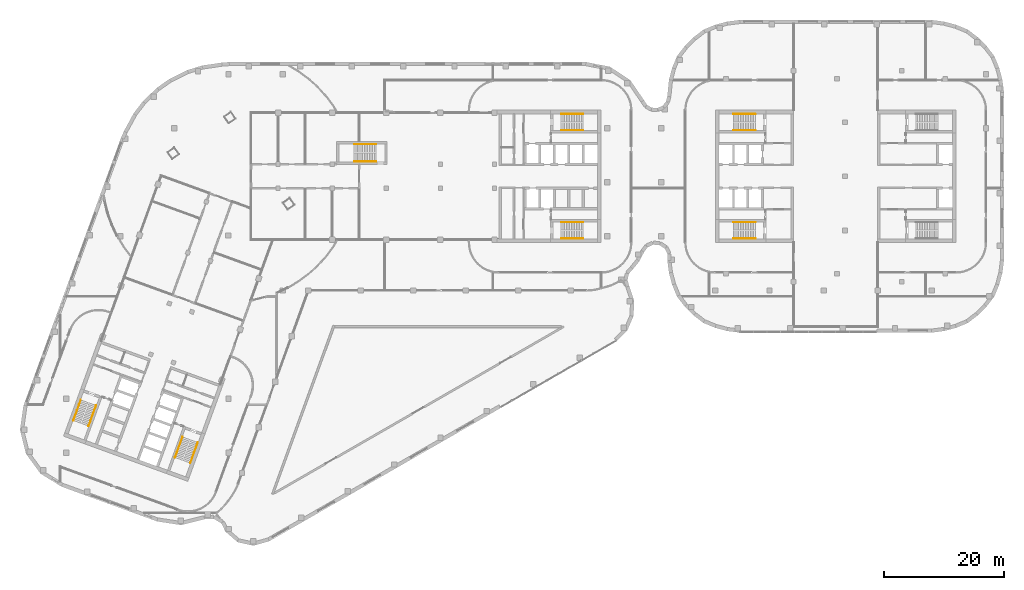
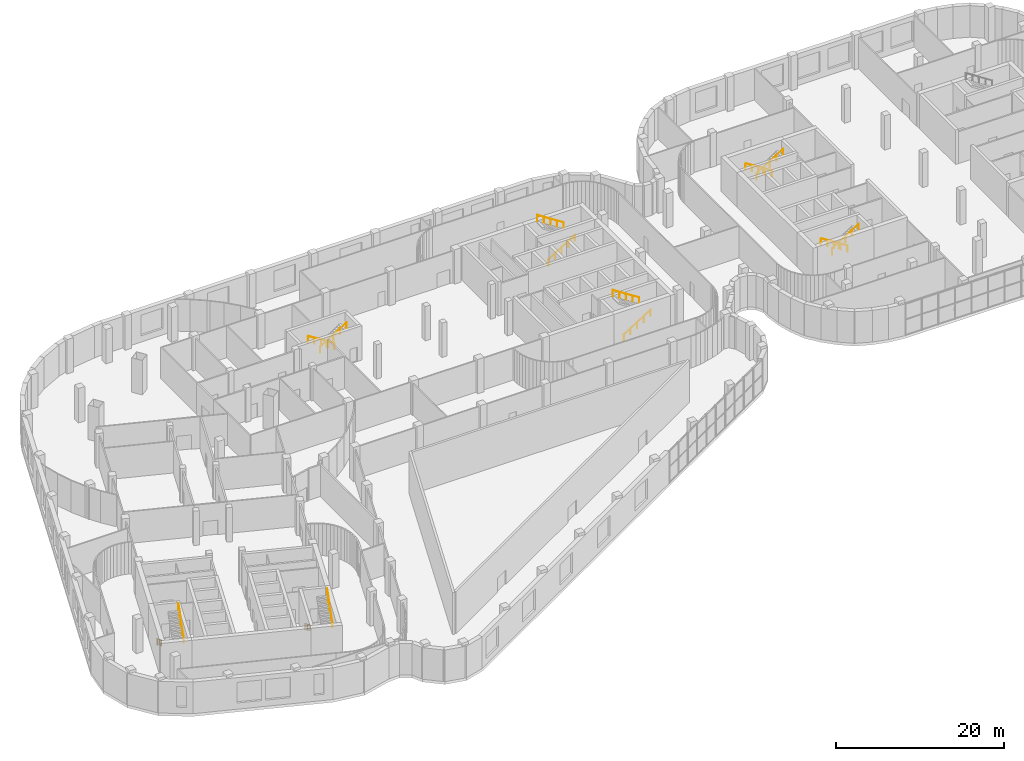
# One storey, part 23 of 24: 14 railings.
"""IFC4 building model written with IfcOpenShell, lengths in metres."""

import ifcopenshell
import ifcopenshell.guid

model = None  # the IFC model being written
_history = None  # IfcOwnerHistory: only IFC2X3 demands one
_inside = {}  # id of a spatial element -> (the spatial element, [elements in it])
_under = {}  # id of a project, library or spatial element -> (it, [spatial elements below it])
_declared = {}  # id of a project -> (the project, [libraries it declares])
_typed = {}  # id of a type object -> (the type object, [elements of that type])
_made_of = {}  # id of a material, layer set ... -> (it, [elements and type objects made of it])


def new_model(schema):
    """Start an empty IFC model of exactly this schema.

    Asked for "IFC4X3", IfcOpenShell would pick the latest addendum, in which some entities
    have other attributes; the version numbers below select the first issue.
    IFC2X3 requires an IfcOwnerHistory on every rooted entity: one is made here for all.
    """
    global model, _history
    if schema == "IFC4X3":
        model = ifcopenshell.file(schema_version=(4, 3, 0, 0))
    else:
        model = ifcopenshell.file(schema=schema)
    _inside.clear()
    _under.clear()
    _declared.clear()
    _typed.clear()
    _made_of.clear()
    _history = None
    if model.schema == "IFC2X3":
        org = make("IfcOrganization", Name="unknown")
        user = make(
            "IfcPersonAndOrganization",
            ThePerson=make("IfcPerson", FamilyName="unknown"),
            TheOrganization=org,
        )
        app = make(
            "IfcApplication",
            ApplicationDeveloper=org,
            Version="unknown",
            ApplicationFullName="unknown",
            ApplicationIdentifier="unknown",
        )
        _history = make(
            "IfcOwnerHistory",
            OwningUser=user,
            OwningApplication=app,
            ChangeAction="ADDED",
            CreationDate=0,
        )
    return model


def make(cls, **values):
    """One entity of the class cls with the attributes given. An attribute that is None is left unset."""
    return model.create_entity(
        cls, **{name: value for name, value in values.items() if value is not None}
    )


def rooted(cls, **values):
    """An entity with a GlobalId (a new one), such as an element, a storey or a relation."""
    return make(cls, GlobalId=ifcopenshell.guid.new(), OwnerHistory=_history, **values)


def si_unit(unit_type, name, prefix=None):
    """IfcSIUnit, for example si_unit("LENGTHUNIT", "METRE", prefix="MILLI")."""
    return make("IfcSIUnit", UnitType=unit_type, Prefix=prefix, Name=name)


def assignment(units):
    """IfcUnitAssignment: the units of a project."""
    return None if units is None else make("IfcUnitAssignment", Units=units)


def point(xyz):
    """IfcCartesianPoint."""
    return None if xyz is None else make("IfcCartesianPoint", Coordinates=xyz)


def direction(xyz):
    """IfcDirection."""
    return None if xyz is None else make("IfcDirection", DirectionRatios=xyz)


def frame(location, z_axis=None, x_axis=None):
    """IfcAxis2Placement3D, a coordinate frame: its origin and axes. An axis left out is left unset."""
    return make(
        "IfcAxis2Placement3D",
        Location=point(location),
        Axis=direction(z_axis),
        RefDirection=direction(x_axis),
    )


def frame_2d(location, x_axis=None):
    """IfcAxis2Placement2D, a coordinate frame in the plane: its origin and x axis."""
    return make(
        "IfcAxis2Placement2D", Location=point(location), RefDirection=direction(x_axis)
    )


def origin():
    """The frame at (0, 0, 0) with its axes left unset."""
    return frame((0.0, 0.0, 0.0))


def origin_2d():
    """The frame at (0, 0) in the plane with its x axis left unset."""
    return frame_2d((0.0, 0.0))


def place(relative_to, where):
    """IfcLocalPlacement: puts the frame where relative to a parent placement (None: the world)."""
    return make(
        "IfcLocalPlacement", PlacementRelTo=relative_to, RelativePlacement=where
    )


def context(
    kind, dimensions, precision=None, world=None, true_north=None, identifier=None
):
    """IfcGeometricRepresentationContext, for example the 3D "Model" context."""
    return make(
        "IfcGeometricRepresentationContext",
        ContextIdentifier=identifier,
        ContextType=kind,
        CoordinateSpaceDimension=dimensions,
        Precision=precision,
        WorldCoordinateSystem=world,
        TrueNorth=true_north,
    )


def subcontext(parent, identifier, kind, view, scale=None):
    """IfcGeometricRepresentationSubContext, for example "Body" below "Model"."""
    return make(
        "IfcGeometricRepresentationSubContext",
        ContextIdentifier=identifier,
        ContextType=kind,
        ParentContext=parent,
        TargetScale=scale,
        TargetView=view,
    )


def project(units=None, contexts=None):
    """IfcProject with its units and contexts."""
    return rooted(
        "IfcProject",
        Name="project",
        RepresentationContexts=contexts,
        UnitsInContext=assignment(units),
    )


def spatial(cls, under=None, at=None, **own):
    """A site, building, storey or space (cls), placed at a placement, below another one or the project."""
    s = rooted(cls, ObjectPlacement=at, **own)
    if under is not None:
        _under.setdefault(under.id(), (under, []))[1].append(s)
    return s


def profile(cls, at=None, kind="AREA", **sizes):
    """A parametric profile (cls). Its sizes go by their IFC names, for example OverallWidth=200.0."""
    return make(cls, ProfileType=kind, Position=at, **sizes)


def circle(**sizes):
    """IfcCircleProfileDef."""
    return profile("IfcCircleProfileDef", **sizes)


def extrude(swept, where, along, depth):
    """IfcExtrudedAreaSolid: the profile swept, set in the frame where, extruded along a direction by depth."""
    return make(
        "IfcExtrudedAreaSolid",
        SweptArea=swept,
        Position=where,
        ExtrudedDirection=direction(along),
        Depth=depth,
    )


def shape(context_of_items, identifier, shape_type, items):
    """IfcShapeRepresentation: the items that make up one representation, for example the "Body"."""
    return make(
        "IfcShapeRepresentation",
        ContextOfItems=context_of_items,
        RepresentationIdentifier=identifier,
        RepresentationType=shape_type,
        Items=items,
    )


def material(Name=None, Category=None):
    """IfcMaterial."""
    return make("IfcMaterial", Name=Name, Category=Category)


def made_of(thing, what):
    """Note that an element or type object is made of a material, layer set ...; save() writes the relation."""
    if what is not None:
        _made_of.setdefault(what.id(), (what, []))[1].append(thing)
    return thing


def type_object(cls, material=None, **own):
    """A type object (cls), such as IfcWallType, which elements share."""
    return made_of(rooted(cls, **own), material)


def element(
    cls,
    number,
    at=None,
    inside=None,
    cuts=None,
    type_object=None,
    material=None,
    context=None,
    identifier="Body",
    shape_type=None,
    held_by="IfcProductDefinitionShape",
    body=None,
    shapes=None,
    **own,
):
    """One element of the class cls, such as IfcWall. Its Tag is "e" and its number.

    at: its placement. inside: the storey or other place that contains it. cuts: it is an
    opening in that element (IfcRelVoidsElement). A single representation is given by context,
    identifier, shape_type and body (its items); several are given by shapes. held_by: the class
    of the entity that holds the representations. save() writes the other relations.
    """
    e = rooted(cls, Tag="e%d" % number, ObjectPlacement=at, **own)
    if body is not None:
        shapes = [shape(context, identifier, shape_type, body)]
    if shapes is not None:
        e.Representation = make(held_by, Representations=shapes)
    if inside is not None:
        _inside.setdefault(inside.id(), (inside, []))[1].append(e)
    if cuts is not None:
        rooted(
            "IfcRelVoidsElement", RelatingBuildingElement=cuts, RelatedOpeningElement=e
        )
    if type_object is not None:
        _typed.setdefault(type_object.id(), (type_object, []))[1].append(e)
    return made_of(e, material)


def aggregate(whole, parts):
    """IfcRelAggregates: a whole, such as a stair, and the parts it consists of."""
    return rooted("IfcRelAggregates", RelatingObject=whole, RelatedObjects=parts)


def save(model, path):
    """Write the relations noted so far, then the file.

    IfcRelAggregates (storeys below a building ...), IfcRelContainedInSpatialStructure (elements
    in a storey), IfcRelDefinesByType, IfcRelAssociatesMaterial and IfcRelDeclares: one each for
    every whole, place, type object, material and project.
    """
    for whole, parts in _under.values():
        aggregate(whole, parts)
    for where, things in _inside.values():
        rooted(
            "IfcRelContainedInSpatialStructure",
            RelatedElements=things,
            RelatingStructure=where,
        )
    for kind, things in _typed.values():
        rooted("IfcRelDefinesByType", RelatedObjects=things, RelatingType=kind)
    for what, things in _made_of.values():
        rooted("IfcRelAssociatesMaterial", RelatedObjects=things, RelatingMaterial=what)
    for by, libraries in _declared.values():
        rooted("IfcRelDeclares", RelatingContext=by, RelatedDefinitions=libraries)
    model.write(path)


model = new_model("IFC4")

# Units and contexts
model_context = context("Model", 3, precision=1e-05, world=origin(), true_north=direction((0.0, 1.0)))
body_context = subcontext(model_context, "Body", "Model", "MODEL_VIEW")
ifc_project = project(units=[si_unit("LENGTHUNIT", "METRE"), si_unit("AREAUNIT", "SQUARE_METRE"), si_unit("VOLUMEUNIT", "CUBIC_METRE"), si_unit("PLANEANGLEUNIT", "RADIAN"), si_unit("MASSUNIT", "GRAM", prefix="KILO")], contexts=[model_context])

# Site, building, storey
site_placement = place(None, origin())
site = spatial("IfcSite", under=ifc_project, at=site_placement, CompositionType="ELEMENT")
building_placement = place(site_placement, origin())
building = spatial("IfcBuilding", under=site, at=building_placement, Name="Skarvind Civic Tower", CompositionType="ELEMENT")
storey_placement = place(building_placement, frame((0.0, 0.0, 12.5)))
storey = spatial("IfcBuildingStorey", under=building, at=storey_placement, Name="L02", CompositionType="ELEMENT", Elevation=12.5)

# Railings
ifc_material = material(Name="Painted steel handrail", Category="steel")
railing_type = type_object("IfcRailingType", Name="Stair handrail 900", PredefinedType="HANDRAIL", material=ifc_material)
railing_1_placement = place(storey_placement, frame((101.35009765625, 135.64990234375, 0.178466796875)))
element("IfcRailing", 1, at=railing_1_placement, inside=storey, type_object=railing_type, Name="Stair handrail", PredefinedType="HANDRAIL", context=body_context, shape_type="SweptSolid", body=[
    extrude(circle(Radius=0.02392578125, at=origin_2d()), frame((0.0, 0.0, 0.8759765625), z_axis=(0.843111507901, 0.0, 0.53773877045), x_axis=(0.0, 1.0, 0.0)), (0.0, 0.0, 1.0), 4.317138671875),
    extrude(circle(Radius=0.02099609375, at=origin_2d()), origin(), (0.0, 0.0, 1.0), 0.851806640625),
    extrude(circle(Radius=0.02099609375, at=origin_2d()), frame((0.909912109375, 0.0, 0.580322265625)), (0.0, 0.0, 1.0), 0.851806640625),
    extrude(circle(Radius=0.02099609375, at=origin_2d()), frame((1.81982421875, 0.0, 1.16064453125)), (0.0, 0.0, 1.0), 0.851806640625),
    extrude(circle(Radius=0.02099609375, at=origin_2d()), frame((2.72998046875, 0.0, 1.7412109375)), (0.0, 0.0, 1.0), 0.851806640625),
    extrude(circle(Radius=0.02099609375, at=origin_2d()), frame((3.639892578125, 0.0, 2.321533203125)), (0.0, 0.0, 1.0), 0.851806640625),
])
railing_2_placement = place(storey_placement, frame((104.989990234375, 138.35009765625, 2.678466796875)))
element("IfcRailing", 2, at=railing_2_placement, inside=storey, type_object=railing_type, Name="Stair handrail", PredefinedType="HANDRAIL", context=body_context, shape_type="SweptSolid", body=[
    extrude(circle(Radius=0.02392578125, at=origin_2d()), frame((0.0, 0.0, 0.8759765625), z_axis=(-0.843111507901, 0.0, 0.53773877045), x_axis=(0.0, -1.0, 0.0)), (0.0, 0.0, 1.0), 4.317138671875),
    extrude(circle(Radius=0.02099609375, at=origin_2d()), origin(), (0.0, 0.0, 1.0), 0.851806640625),
    extrude(circle(Radius=0.02099609375, at=origin_2d()), frame((-0.909912109375, 0.0, 0.580322265625)), (0.0, 0.0, 1.0), 0.851806640625),
    extrude(circle(Radius=0.02099609375, at=origin_2d()), frame((-1.81982421875, 0.0, 1.16064453125)), (0.0, 0.0, 1.0), 0.851806640625),
    extrude(circle(Radius=0.02099609375, at=origin_2d()), frame((-2.72998046875, 0.0, 1.7412109375)), (0.0, 0.0, 1.0), 0.851806640625),
    extrude(circle(Radius=0.02099609375, at=origin_2d()), frame((-3.639892578125, 0.0, 2.321533203125)), (0.0, 0.0, 1.0), 0.851806640625),
])
railing_3_placement = place(storey_placement, frame((101.35009765625, 117.64990234375, 0.178466796875)))
element("IfcRailing", 3, at=railing_3_placement, inside=storey, type_object=railing_type, Name="Stair handrail", PredefinedType="HANDRAIL", context=body_context, shape_type="SweptSolid", body=[
    extrude(circle(Radius=0.02392578125, at=origin_2d()), frame((0.0, 0.0, 0.8759765625), z_axis=(0.843111507901, 0.0, 0.53773877045), x_axis=(0.0, 1.0, 0.0)), (0.0, 0.0, 1.0), 4.317138671875),
    extrude(circle(Radius=0.02099609375, at=origin_2d()), origin(), (0.0, 0.0, 1.0), 0.851806640625),
    extrude(circle(Radius=0.02099609375, at=origin_2d()), frame((0.909912109375, 0.0, 0.580322265625)), (0.0, 0.0, 1.0), 0.851806640625),
    extrude(circle(Radius=0.02099609375, at=origin_2d()), frame((1.81982421875, 0.0, 1.16064453125)), (0.0, 0.0, 1.0), 0.851806640625),
    extrude(circle(Radius=0.02099609375, at=origin_2d()), frame((2.72998046875, 0.0, 1.7412109375)), (0.0, 0.0, 1.0), 0.851806640625),
    extrude(circle(Radius=0.02099609375, at=origin_2d()), frame((3.639892578125, 0.0, 2.321533203125)), (0.0, 0.0, 1.0), 0.851806640625),
])
railing_4_placement = place(storey_placement, frame((104.989990234375, 120.35009765625, 2.678466796875)))
element("IfcRailing", 4, at=railing_4_placement, inside=storey, type_object=railing_type, Name="Stair handrail", PredefinedType="HANDRAIL", context=body_context, shape_type="SweptSolid", body=[
    extrude(circle(Radius=0.02392578125, at=origin_2d()), frame((0.0, 0.0, 0.8759765625), z_axis=(-0.843111507901, 0.0, 0.53773877045), x_axis=(0.0, -1.0, 0.0)), (0.0, 0.0, 1.0), 4.317138671875),
    extrude(circle(Radius=0.02099609375, at=origin_2d()), origin(), (0.0, 0.0, 1.0), 0.851806640625),
    extrude(circle(Radius=0.02099609375, at=origin_2d()), frame((-0.909912109375, 0.0, 0.580322265625)), (0.0, 0.0, 1.0), 0.851806640625),
    extrude(circle(Radius=0.02099609375, at=origin_2d()), frame((-1.81982421875, 0.0, 1.16064453125)), (0.0, 0.0, 1.0), 0.851806640625),
    extrude(circle(Radius=0.02099609375, at=origin_2d()), frame((-2.72998046875, 0.0, 1.7412109375)), (0.0, 0.0, 1.0), 0.851806640625),
    extrude(circle(Radius=0.02099609375, at=origin_2d()), frame((-3.639892578125, 0.0, 2.321533203125)), (0.0, 0.0, 1.0), 0.851806640625),
])
railing_5_placement = place(storey_placement, frame((38.362060546875, 84.64794921875, 0.178466796875)))
element("IfcRailing", 5, at=railing_5_placement, inside=storey, type_object=railing_type, Name="Stair handrail", PredefinedType="HANDRAIL", context=body_context, shape_type="SweptSolid", body=[
    extrude(circle(Radius=0.02392578125, at=origin_2d()), frame((0.0, 0.0, 0.8759765625), z_axis=(-0.288337369333, -0.792291602614, 0.537713285937), x_axis=(0.93970527225, -0.341985381714, 0.0)), (0.0, 0.0, 1.0), 4.3173828125),
    extrude(circle(Radius=0.02099609375, at=origin_2d()), origin(), (0.0, 0.0, 1.0), 0.851806640625),
    extrude(circle(Radius=0.02099609375, at=origin_2d()), frame((-0.311279296875, -0.855224609375, 0.580322265625)), (0.0, 0.0, 1.0), 0.851806640625),
    extrude(circle(Radius=0.02099609375, at=origin_2d()), frame((-0.62255859375, -1.71044921875, 1.16064453125)), (0.0, 0.0, 1.0), 0.851806640625),
    extrude(circle(Radius=0.02099609375, at=origin_2d()), frame((-0.93359375, -2.5654296875, 1.7412109375)), (0.0, 0.0, 1.0), 0.851806640625),
    extrude(circle(Radius=0.02099609375, at=origin_2d()), frame((-1.244873046875, -3.420654296875, 2.321533203125)), (0.0, 0.0, 1.0), 0.851806640625),
])
railing_6_placement = place(storey_placement, frame((39.654296875, 80.303955078125, 2.678466796875)))
element("IfcRailing", 6, at=railing_6_placement, inside=storey, type_object=railing_type, Name="Stair handrail", PredefinedType="HANDRAIL", context=body_context, shape_type="SweptSolid", body=[
    extrude(circle(Radius=0.02392578125, at=origin_2d()), frame((0.0, 0.0, 0.8759765625), z_axis=(0.288350287938, 0.792270549913, 0.537737377525), x_axis=(-0.939697427507, 0.342006936678, 0.0)), (0.0, 0.0, 1.0), 4.317138671875),
    extrude(circle(Radius=0.02099609375, at=origin_2d()), origin(), (0.0, 0.0, 1.0), 0.851806640625),
    extrude(circle(Radius=0.02099609375, at=origin_2d()), frame((0.311279296875, 0.85498046875, 0.580322265625)), (0.0, 0.0, 1.0), 0.851806640625),
    extrude(circle(Radius=0.02099609375, at=origin_2d()), frame((0.62255859375, 1.710205078125, 1.16064453125)), (0.0, 0.0, 1.0), 0.851806640625),
    extrude(circle(Radius=0.02099609375, at=origin_2d()), frame((0.93359375, 2.5654296875, 1.7412109375)), (0.0, 0.0, 1.0), 0.851806640625),
    extrude(circle(Radius=0.02099609375, at=origin_2d()), frame((1.244873046875, 3.42041015625, 2.321533203125)), (0.0, 0.0, 1.0), 0.851806640625),
])
railing_7_placement = place(storey_placement, frame((21.447509765625, 90.80419921875, 0.178466796875)))
element("IfcRailing", 7, at=railing_7_placement, inside=storey, type_object=railing_type, Name="Stair handrail", PredefinedType="HANDRAIL", context=body_context, shape_type="SweptSolid", body=[
    extrude(circle(Radius=0.02392578125, at=origin_2d()), frame((0.0, 0.0, 0.8759765625), z_axis=(-0.288350287938, -0.792270549913, 0.537737377525), x_axis=(0.939697427507, -0.342006936678, 0.0)), (0.0, 0.0, 1.0), 4.317138671875),
    extrude(circle(Radius=0.02099609375, at=origin_2d()), origin(), (0.0, 0.0, 1.0), 0.851806640625),
    extrude(circle(Radius=0.02099609375, at=origin_2d()), frame((-0.311279296875, -0.85498046875, 0.580322265625)), (0.0, 0.0, 1.0), 0.851806640625),
    extrude(circle(Radius=0.02099609375, at=origin_2d()), frame((-0.62255859375, -1.710205078125, 1.16064453125)), (0.0, 0.0, 1.0), 0.851806640625),
    extrude(circle(Radius=0.02099609375, at=origin_2d()), frame((-0.93359375, -2.5654296875, 1.7412109375)), (0.0, 0.0, 1.0), 0.851806640625),
    extrude(circle(Radius=0.02099609375, at=origin_2d()), frame((-1.244873046875, -3.42041015625, 2.321533203125)), (0.0, 0.0, 1.0), 0.851806640625),
])
railing_8_placement = place(storey_placement, frame((22.73974609375, 86.460205078125, 2.678466796875)))
element("IfcRailing", 8, at=railing_8_placement, inside=storey, type_object=railing_type, Name="Stair handrail", PredefinedType="HANDRAIL", context=body_context, shape_type="SweptSolid", body=[
    extrude(circle(Radius=0.02392578125, at=origin_2d()), frame((0.0, 0.0, 0.8759765625), z_axis=(0.288389214594, 0.792278683466, 0.537704517956), x_axis=(-0.939683717183, 0.342044604784, 0.0)), (0.0, 0.0, 1.0), 4.3173828125),
    extrude(circle(Radius=0.02099609375, at=origin_2d()), origin(), (0.0, 0.0, 1.0), 0.851806640625),
    extrude(circle(Radius=0.02099609375, at=origin_2d()), frame((0.311279296875, 0.855224609375, 0.580322265625)), (0.0, 0.0, 1.0), 0.851806640625),
    extrude(circle(Radius=0.02099609375, at=origin_2d()), frame((0.62255859375, 1.71044921875, 1.16064453125)), (0.0, 0.0, 1.0), 0.851806640625),
    extrude(circle(Radius=0.02099609375, at=origin_2d()), frame((0.933837890625, 2.5654296875, 1.7412109375)), (0.0, 0.0, 1.0), 0.851806640625),
    extrude(circle(Radius=0.02099609375, at=origin_2d()), frame((1.2451171875, 3.420654296875, 2.321533203125)), (0.0, 0.0, 1.0), 0.851806640625),
])
railing_9_placement = place(storey_placement, frame((133.64990234375, 120.35009765625, 0.178466796875)))
element("IfcRailing", 9, at=railing_9_placement, inside=storey, type_object=railing_type, Name="Stair handrail", PredefinedType="HANDRAIL", context=body_context, shape_type="SweptSolid", body=[
    extrude(circle(Radius=0.02392578125, at=origin_2d()), frame((0.0, 0.0, 0.8759765625), z_axis=(-0.843111507901, 0.0, 0.53773877045), x_axis=(0.0, -1.0, 0.0)), (0.0, 0.0, 1.0), 4.317138671875),
    extrude(circle(Radius=0.02099609375, at=origin_2d()), origin(), (0.0, 0.0, 1.0), 0.851806640625),
    extrude(circle(Radius=0.02099609375, at=origin_2d()), frame((-0.909912109375, 0.0, 0.580322265625)), (0.0, 0.0, 1.0), 0.851806640625),
    extrude(circle(Radius=0.02099609375, at=origin_2d()), frame((-1.81982421875, 0.0, 1.16064453125)), (0.0, 0.0, 1.0), 0.851806640625),
    extrude(circle(Radius=0.02099609375, at=origin_2d()), frame((-2.72998046875, 0.0, 1.7412109375)), (0.0, 0.0, 1.0), 0.851806640625),
    extrude(circle(Radius=0.02099609375, at=origin_2d()), frame((-3.639892578125, 0.0, 2.321533203125)), (0.0, 0.0, 1.0), 0.851806640625),
])
railing_10_placement = place(storey_placement, frame((130.010009765625, 117.64990234375, 2.678466796875)))
element("IfcRailing", 10, at=railing_10_placement, inside=storey, type_object=railing_type, Name="Stair handrail", PredefinedType="HANDRAIL", context=body_context, shape_type="SweptSolid", body=[
    extrude(circle(Radius=0.02392578125, at=origin_2d()), frame((0.0, 0.0, 0.8759765625), z_axis=(0.843111507901, 0.0, 0.53773877045), x_axis=(0.0, 1.0, 0.0)), (0.0, 0.0, 1.0), 4.317138671875),
    extrude(circle(Radius=0.02099609375, at=origin_2d()), origin(), (0.0, 0.0, 1.0), 0.851806640625),
    extrude(circle(Radius=0.02099609375, at=origin_2d()), frame((0.909912109375, 0.0, 0.580322265625)), (0.0, 0.0, 1.0), 0.851806640625),
    extrude(circle(Radius=0.02099609375, at=origin_2d()), frame((1.81982421875, 0.0, 1.16064453125)), (0.0, 0.0, 1.0), 0.851806640625),
    extrude(circle(Radius=0.02099609375, at=origin_2d()), frame((2.72998046875, 0.0, 1.7412109375)), (0.0, 0.0, 1.0), 0.851806640625),
    extrude(circle(Radius=0.02099609375, at=origin_2d()), frame((3.639892578125, 0.0, 2.321533203125)), (0.0, 0.0, 1.0), 0.851806640625),
])
railing_11_placement = place(storey_placement, frame((133.64990234375, 138.35009765625, 0.178466796875)))
element("IfcRailing", 11, at=railing_11_placement, inside=storey, type_object=railing_type, Name="Stair handrail", PredefinedType="HANDRAIL", context=body_context, shape_type="SweptSolid", body=[
    extrude(circle(Radius=0.02392578125, at=origin_2d()), frame((0.0, 0.0, 0.8759765625), z_axis=(-0.843111507901, 0.0, 0.53773877045), x_axis=(0.0, -1.0, 0.0)), (0.0, 0.0, 1.0), 4.317138671875),
    extrude(circle(Radius=0.02099609375, at=origin_2d()), origin(), (0.0, 0.0, 1.0), 0.851806640625),
    extrude(circle(Radius=0.02099609375, at=origin_2d()), frame((-0.909912109375, 0.0, 0.580322265625)), (0.0, 0.0, 1.0), 0.851806640625),
    extrude(circle(Radius=0.02099609375, at=origin_2d()), frame((-1.81982421875, 0.0, 1.16064453125)), (0.0, 0.0, 1.0), 0.851806640625),
    extrude(circle(Radius=0.02099609375, at=origin_2d()), frame((-2.72998046875, 0.0, 1.7412109375)), (0.0, 0.0, 1.0), 0.851806640625),
    extrude(circle(Radius=0.02099609375, at=origin_2d()), frame((-3.639892578125, 0.0, 2.321533203125)), (0.0, 0.0, 1.0), 0.851806640625),
])
railing_12_placement = place(storey_placement, frame((130.010009765625, 135.64990234375, 2.678466796875)))
element("IfcRailing", 12, at=railing_12_placement, inside=storey, type_object=railing_type, Name="Stair handrail", PredefinedType="HANDRAIL", context=body_context, shape_type="SweptSolid", body=[
    extrude(circle(Radius=0.02392578125, at=origin_2d()), frame((0.0, 0.0, 0.8759765625), z_axis=(0.843111507901, 0.0, 0.53773877045), x_axis=(0.0, 1.0, 0.0)), (0.0, 0.0, 1.0), 4.317138671875),
    extrude(circle(Radius=0.02099609375, at=origin_2d()), origin(), (0.0, 0.0, 1.0), 0.851806640625),
    extrude(circle(Radius=0.02099609375, at=origin_2d()), frame((0.909912109375, 0.0, 0.580322265625)), (0.0, 0.0, 1.0), 0.851806640625),
    extrude(circle(Radius=0.02099609375, at=origin_2d()), frame((1.81982421875, 0.0, 1.16064453125)), (0.0, 0.0, 1.0), 0.851806640625),
    extrude(circle(Radius=0.02099609375, at=origin_2d()), frame((2.72998046875, 0.0, 1.7412109375)), (0.0, 0.0, 1.0), 0.851806640625),
    extrude(circle(Radius=0.02099609375, at=origin_2d()), frame((3.639892578125, 0.0, 2.321533203125)), (0.0, 0.0, 1.0), 0.851806640625),
])
railing_13_placement = place(storey_placement, frame((70.550048828125, 133.35009765625, 0.178466796875)))
element("IfcRailing", 13, at=railing_13_placement, inside=storey, type_object=railing_type, Name="Stair handrail", PredefinedType="HANDRAIL", context=body_context, shape_type="SweptSolid", body=[
    extrude(circle(Radius=0.02392578125, at=origin_2d()), frame((0.0, 0.0, 0.8759765625), z_axis=(-0.843127859045, 0.0, 0.537713132908), x_axis=(0.0, -1.0, 0.0)), (0.0, 0.0, 1.0), 4.3173828125),
    extrude(circle(Radius=0.02099609375, at=origin_2d()), origin(), (0.0, 0.0, 1.0), 0.851806640625),
    extrude(circle(Radius=0.02099609375, at=origin_2d()), frame((-0.91015625, 0.0, 0.580322265625)), (0.0, 0.0, 1.0), 0.851806640625),
    extrude(circle(Radius=0.02099609375, at=origin_2d()), frame((-1.820068359375, 0.0, 1.16064453125)), (0.0, 0.0, 1.0), 0.851806640625),
    extrude(circle(Radius=0.02099609375, at=origin_2d()), frame((-2.72998046875, 0.0, 1.7412109375)), (0.0, 0.0, 1.0), 0.851806640625),
    extrude(circle(Radius=0.02099609375, at=origin_2d()), frame((-3.64013671875, 0.0, 2.321533203125)), (0.0, 0.0, 1.0), 0.851806640625),
])
railing_14_placement = place(storey_placement, frame((66.909912109375, 130.449951171875, 2.678466796875)))
element("IfcRailing", 14, at=railing_14_placement, inside=storey, type_object=railing_type, Name="Stair handrail", PredefinedType="HANDRAIL", context=body_context, shape_type="SweptSolid", body=[
    extrude(circle(Radius=0.02392578125, at=origin_2d()), frame((0.0, 0.0, 0.8759765625), z_axis=(0.843127859045, 0.0, 0.537713132908), x_axis=(0.0, 1.0, 0.0)), (0.0, 0.0, 1.0), 4.3173828125),
    extrude(circle(Radius=0.02099609375, at=origin_2d()), origin(), (0.0, 0.0, 1.0), 0.851806640625),
    extrude(circle(Radius=0.02099609375, at=origin_2d()), frame((0.91015625, 0.0, 0.580322265625)), (0.0, 0.0, 1.0), 0.851806640625),
    extrude(circle(Radius=0.02099609375, at=origin_2d()), frame((1.820068359375, 0.0, 1.16064453125)), (0.0, 0.0, 1.0), 0.851806640625),
    extrude(circle(Radius=0.02099609375, at=origin_2d()), frame((2.72998046875, 0.0, 1.7412109375)), (0.0, 0.0, 1.0), 0.851806640625),
    extrude(circle(Radius=0.02099609375, at=origin_2d()), frame((3.64013671875, 0.0, 2.321533203125)), (0.0, 0.0, 1.0), 0.851806640625),
])

save(model, "model.ifc")
